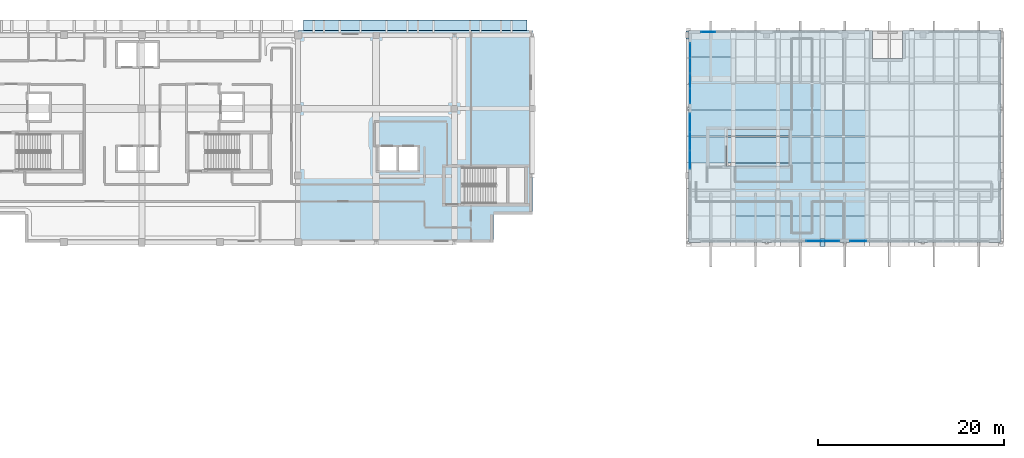
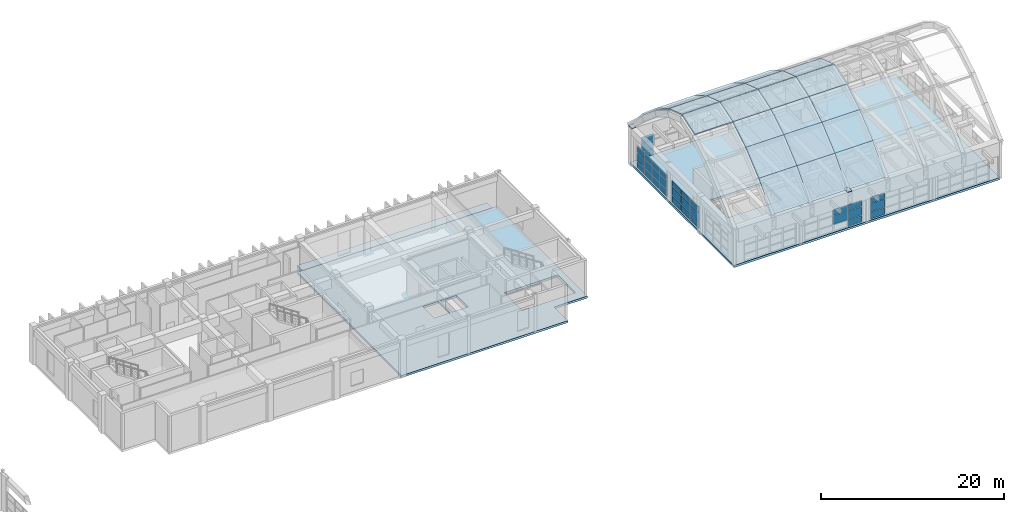
# One storey, part 58 of 78: 34 plates, 25 slabs, 5 elements without a shape of their own.
"""IFC4 building model written with IfcOpenShell, lengths in metres."""

from ifc_helpers import new_model, si_unit, direction, frame, origin, origin_2d, place, context, subcontext, project, spatial, polyline, rectangle, outline, extrude, material, layer, layer_set, type_object, element, aggregate, save


model = new_model("IFC4")

# Units and contexts
model_context = context("Model", 3, precision=1e-05, world=origin(), true_north=direction((0.0, 1.0)))
body_context = subcontext(model_context, "Body", "Model", "MODEL_VIEW")
ifc_project = project(units=[si_unit("LENGTHUNIT", "METRE"), si_unit("AREAUNIT", "SQUARE_METRE"), si_unit("VOLUMEUNIT", "CUBIC_METRE"), si_unit("PLANEANGLEUNIT", "RADIAN"), si_unit("MASSUNIT", "GRAM", prefix="KILO")], contexts=[model_context])

# Site, building, storey
site_placement = place(None, origin())
site = spatial("IfcSite", under=ifc_project, at=site_placement, CompositionType="ELEMENT")
building_placement = place(site_placement, origin())
building = spatial("IfcBuilding", under=site, at=building_placement, Name="Quendrovan Civic Courthouse", CompositionType="ELEMENT")
storey_placement = place(building_placement, frame((0.0, 0.0, 20.39990234375)))
storey = spatial("IfcBuildingStorey", under=building, at=storey_placement, Name="L05", CompositionType="ELEMENT", Elevation=20.39990234375)

# Curtain wall, plates
ifc_material_1 = material(Name="Bronze anodised aluminium and low-E glass", Category="aluminium")
ifc_layer_1 = layer(ifc_material_1, 0.179931640625, Name="Bronze anodised aluminium and low-E glass")
ifc_layer_set_1 = layer_set([ifc_layer_1], Name="Bronze anodised aluminium and low-E glass")
curtain_wall_type_1 = type_object("IfcCurtainWallType", Name="CW-U64x30", PredefinedType="USERDEFINED", material=ifc_layer_set_1)
curtain_wall_1_placement = place(storey_placement, origin())
curtain_wall_1 = element("IfcCurtainWall", 1, at=curtain_wall_1_placement, inside=storey, type_object=curtain_wall_type_1, Name="L05 Unitised Hurricane Curtain Wall CW-192", ObjectType="UNITISED CURTAIN WALL", PredefinedType="USERDEFINED")
ifc_material_2 = material(Name="Laminated hurricane-impact low-E glass", Category="glass")
ifc_layer_2 = layer(ifc_material_2, 0.028076171875, Name="Laminated hurricane-impact low-E glass")
ifc_layer_set_2 = layer_set([ifc_layer_2], Name="Laminated hurricane-impact low-E glass")
plate_type_1 = type_object("IfcPlateType", Name="CW-PNL-1", PredefinedType="CURTAIN_PANEL", material=ifc_layer_set_2)
plate_1_placement = place(storey_placement, frame((111.320556640625, 110.235107421875, 0.0703125), z_axis=(0.0, 0.0, 1.0), x_axis=(1.0, 0.0, 0.0)))
plate_1 = element("IfcPlate", 2, at=plate_1_placement, type_object=plate_type_1, Name="CW-192 panel 1.1", PredefinedType="CURTAIN_PANEL", context=body_context, shape_type="SweptSolid", body=[
    extrude(rectangle(XDim=1.501220703125, YDim=0.028076171875, at=origin_2d()), origin(), (0.0, 0.0, 1.0), 0.844970703125),
])
plate_2_placement = place(storey_placement, frame((111.320556640625, 110.235107421875, 0.985107421875), z_axis=(0.0, 0.0, 1.0), x_axis=(1.0, 0.0, 0.0)))
plate_2 = element("IfcPlate", 3, at=plate_2_placement, type_object=plate_type_1, Name="CW-192 panel 1.2", PredefinedType="CURTAIN_PANEL", context=body_context, shape_type="SweptSolid", body=[
    extrude(rectangle(XDim=1.501220703125, YDim=0.028076171875, at=origin_2d()), origin(), (0.0, 0.0, 1.0), 1.1298828125),
])
plate_3_placement = place(storey_placement, frame((111.320556640625, 110.235107421875, 2.18505859375), z_axis=(0.0, 0.0, 1.0), x_axis=(1.0, 0.0, 0.0)))
plate_3 = element("IfcPlate", 4, at=plate_3_placement, type_object=plate_type_1, Name="CW-192 panel 1.3", PredefinedType="CURTAIN_PANEL", context=body_context, shape_type="SweptSolid", body=[
    extrude(rectangle(XDim=1.501220703125, YDim=0.028076171875, at=origin_2d()), origin(), (0.0, 0.0, 1.0), 0.735107421875),
])
aggregate(curtain_wall_1, [plate_1, plate_2, plate_3])

ifc_layer_3 = layer(ifc_material_1, 0.179931640625, Name="Bronze anodised aluminium and low-E glass")
ifc_layer_set_3 = layer_set([ifc_layer_3], Name="Bronze anodised aluminium and low-E glass")
curtain_wall_type_2 = type_object("IfcCurtainWallType", Name="CW-U74x30", PredefinedType="USERDEFINED", material=ifc_layer_set_3)
curtain_wall_2_placement = place(storey_placement, origin())
curtain_wall_2 = element("IfcCurtainWall", 5, at=curtain_wall_2_placement, inside=storey, type_object=curtain_wall_type_2, Name="L05 Unitised Hurricane Curtain Wall CW-200", ObjectType="UNITISED CURTAIN WALL", PredefinedType="USERDEFINED")
plate_4_placement = place(storey_placement, frame((124.5576171875, 87.764892578125, 0.0703125), z_axis=(0.0, 0.0, 1.0), x_axis=(-1.0, 0.0, 0.0)))
plate_4 = element("IfcPlate", 6, at=plate_4_placement, type_object=plate_type_1, Name="CW-200 panel 1.1", PredefinedType="CURTAIN_PANEL", context=body_context, shape_type="SweptSolid", body=[
    extrude(rectangle(XDim=1.7451171875, YDim=0.028076171875, at=origin_2d()), origin(), (0.0, 0.0, 1.0), 0.844970703125),
])
plate_5_placement = place(storey_placement, frame((124.5576171875, 87.764892578125, 0.985107421875), z_axis=(0.0, 0.0, 1.0), x_axis=(-1.0, 0.0, 0.0)))
plate_5 = element("IfcPlate", 7, at=plate_5_placement, type_object=plate_type_1, Name="CW-200 panel 1.2", PredefinedType="CURTAIN_PANEL", context=body_context, shape_type="SweptSolid", body=[
    extrude(rectangle(XDim=1.7451171875, YDim=0.028076171875, at=origin_2d()), origin(), (0.0, 0.0, 1.0), 1.1298828125),
])
plate_6_placement = place(storey_placement, frame((124.5576171875, 87.764892578125, 2.18505859375), z_axis=(0.0, 0.0, 1.0), x_axis=(-1.0, 0.0, 0.0)))
plate_6 = element("IfcPlate", 8, at=plate_6_placement, type_object=plate_type_1, Name="CW-200 panel 1.3", PredefinedType="CURTAIN_PANEL", context=body_context, shape_type="SweptSolid", body=[
    extrude(rectangle(XDim=1.7451171875, YDim=0.028076171875, at=origin_2d()), origin(), (0.0, 0.0, 1.0), 0.735107421875),
])
plate_7_placement = place(storey_placement, frame((122.72509765625, 87.764892578125, 0.985107421875), z_axis=(0.0, 0.0, 1.0), x_axis=(-1.0, 0.0, 0.0)))
plate_7 = element("IfcPlate", 9, at=plate_7_placement, type_object=plate_type_1, Name="CW-200 panel 2.2", PredefinedType="CURTAIN_PANEL", context=body_context, shape_type="SweptSolid", body=[
    extrude(rectangle(XDim=1.780029296875, YDim=0.028076171875, at=origin_2d()), origin(), (0.0, 0.0, 1.0), 1.1298828125),
])
plate_8_placement = place(storey_placement, frame((122.72509765625, 87.764892578125, 2.18505859375), z_axis=(0.0, 0.0, 1.0), x_axis=(-1.0, 0.0, 0.0)))
plate_8 = element("IfcPlate", 10, at=plate_8_placement, type_object=plate_type_1, Name="CW-200 panel 2.3", PredefinedType="CURTAIN_PANEL", context=body_context, shape_type="SweptSolid", body=[
    extrude(rectangle(XDim=1.780029296875, YDim=0.028076171875, at=origin_2d()), origin(), (0.0, 0.0, 1.0), 0.735107421875),
])
aggregate(curtain_wall_2, [plate_4, plate_5, plate_6, plate_7, plate_8])

ifc_layer_4 = layer(ifc_material_1, 0.179931640625, Name="Bronze anodised aluminium and low-E glass")
ifc_layer_set_4 = layer_set([ifc_layer_4], Name="Bronze anodised aluminium and low-E glass")
curtain_wall_type_3 = type_object("IfcCurtainWallType", Name="CW-U66x30", PredefinedType="USERDEFINED", material=ifc_layer_set_4)
curtain_wall_3_placement = place(storey_placement, origin())
curtain_wall_3 = element("IfcCurtainWall", 11, at=curtain_wall_3_placement, inside=storey, type_object=curtain_wall_type_3, Name="L05 Unitised Hurricane Curtain Wall CW-204", ObjectType="UNITISED CURTAIN WALL", PredefinedType="USERDEFINED")
plate_9_placement = place(storey_placement, frame((109.364990234375, 103.342529296875, 0.0703125), z_axis=(0.0, 0.0, 1.0), x_axis=(0.0, 1.0, 0.0)))
plate_9 = element("IfcPlate", 12, at=plate_9_placement, type_object=plate_type_1, Name="CW-204 panel 1.1", PredefinedType="CURTAIN_PANEL", context=body_context, shape_type="SweptSolid", body=[
    extrude(rectangle(XDim=1.544921875, YDim=0.028076171875, at=origin_2d()), origin(), (0.0, 0.0, 1.0), 0.844970703125),
])
plate_10_placement = place(storey_placement, frame((109.364990234375, 103.342529296875, 0.985107421875), z_axis=(0.0, 0.0, 1.0), x_axis=(0.0, 1.0, 0.0)))
plate_10 = element("IfcPlate", 13, at=plate_10_placement, type_object=plate_type_1, Name="CW-204 panel 1.2", PredefinedType="CURTAIN_PANEL", context=body_context, shape_type="SweptSolid", body=[
    extrude(rectangle(XDim=1.544921875, YDim=0.028076171875, at=origin_2d()), origin(), (0.0, 0.0, 1.0), 1.1298828125),
])
plate_11_placement = place(storey_placement, frame((109.364990234375, 103.342529296875, 2.18505859375), z_axis=(0.0, 0.0, 1.0), x_axis=(0.0, 1.0, 0.0)))
plate_11 = element("IfcPlate", 14, at=plate_11_placement, type_object=plate_type_1, Name="CW-204 panel 1.3", PredefinedType="CURTAIN_PANEL", context=body_context, shape_type="SweptSolid", body=[
    extrude(rectangle(XDim=1.544921875, YDim=0.028076171875, at=origin_2d()), origin(), (0.0, 0.0, 1.0), 0.735107421875),
])
plate_12_placement = place(storey_placement, frame((109.364990234375, 104.97509765625, 0.0703125), z_axis=(0.0, 0.0, 1.0), x_axis=(0.0, 1.0, 0.0)))
plate_12 = element("IfcPlate", 15, at=plate_12_placement, type_object=plate_type_1, Name="CW-204 panel 2.1", PredefinedType="CURTAIN_PANEL", context=body_context, shape_type="SweptSolid", body=[
    extrude(rectangle(XDim=1.580078125, YDim=0.028076171875, at=origin_2d()), origin(), (0.0, 0.0, 1.0), 0.844970703125),
])
plate_13_placement = place(storey_placement, frame((109.364990234375, 104.97509765625, 0.985107421875), z_axis=(0.0, 0.0, 1.0), x_axis=(0.0, 1.0, 0.0)))
plate_13 = element("IfcPlate", 16, at=plate_13_placement, type_object=plate_type_1, Name="CW-204 panel 2.2", PredefinedType="CURTAIN_PANEL", context=body_context, shape_type="SweptSolid", body=[
    extrude(rectangle(XDim=1.580078125, YDim=0.028076171875, at=origin_2d()), origin(), (0.0, 0.0, 1.0), 1.1298828125),
])
plate_14_placement = place(storey_placement, frame((109.364990234375, 104.97509765625, 2.18505859375), z_axis=(0.0, 0.0, 1.0), x_axis=(0.0, 1.0, 0.0)))
plate_14 = element("IfcPlate", 17, at=plate_14_placement, type_object=plate_type_1, Name="CW-204 panel 2.3", PredefinedType="CURTAIN_PANEL", context=body_context, shape_type="SweptSolid", body=[
    extrude(rectangle(XDim=1.580078125, YDim=0.028076171875, at=origin_2d()), origin(), (0.0, 0.0, 1.0), 0.735107421875),
])
plate_15_placement = place(storey_placement, frame((109.364990234375, 106.625, 0.0703125), z_axis=(0.0, 0.0, 1.0), x_axis=(0.0, 1.0, 0.0)))
plate_15 = element("IfcPlate", 18, at=plate_15_placement, type_object=plate_type_1, Name="CW-204 panel 3.1", PredefinedType="CURTAIN_PANEL", context=body_context, shape_type="SweptSolid", body=[
    extrude(rectangle(XDim=1.580078125, YDim=0.028076171875, at=origin_2d()), origin(), (0.0, 0.0, 1.0), 0.844970703125),
])
plate_16_placement = place(storey_placement, frame((109.364990234375, 106.625, 0.985107421875), z_axis=(0.0, 0.0, 1.0), x_axis=(0.0, 1.0, 0.0)))
plate_16 = element("IfcPlate", 19, at=plate_16_placement, type_object=plate_type_1, Name="CW-204 panel 3.2", PredefinedType="CURTAIN_PANEL", context=body_context, shape_type="SweptSolid", body=[
    extrude(rectangle(XDim=1.580078125, YDim=0.028076171875, at=origin_2d()), origin(), (0.0, 0.0, 1.0), 1.1298828125),
])
plate_17_placement = place(storey_placement, frame((109.364990234375, 106.625, 2.18505859375), z_axis=(0.0, 0.0, 1.0), x_axis=(0.0, 1.0, 0.0)))
plate_17 = element("IfcPlate", 20, at=plate_17_placement, type_object=plate_type_1, Name="CW-204 panel 3.3", PredefinedType="CURTAIN_PANEL", context=body_context, shape_type="SweptSolid", body=[
    extrude(rectangle(XDim=1.580078125, YDim=0.028076171875, at=origin_2d()), origin(), (0.0, 0.0, 1.0), 0.735107421875),
])
plate_18_placement = place(storey_placement, frame((109.364990234375, 108.257568359375, 0.0703125), z_axis=(0.0, 0.0, 1.0), x_axis=(0.0, 1.0, 0.0)))
plate_18 = element("IfcPlate", 21, at=plate_18_placement, type_object=plate_type_1, Name="CW-204 panel 4.1", PredefinedType="CURTAIN_PANEL", context=body_context, shape_type="SweptSolid", body=[
    extrude(rectangle(XDim=1.544921875, YDim=0.028076171875, at=origin_2d()), origin(), (0.0, 0.0, 1.0), 0.844970703125),
])
plate_19_placement = place(storey_placement, frame((109.364990234375, 108.257568359375, 0.985107421875), z_axis=(0.0, 0.0, 1.0), x_axis=(0.0, 1.0, 0.0)))
plate_19 = element("IfcPlate", 22, at=plate_19_placement, type_object=plate_type_1, Name="CW-204 panel 4.2", PredefinedType="CURTAIN_PANEL", context=body_context, shape_type="SweptSolid", body=[
    extrude(rectangle(XDim=1.544921875, YDim=0.028076171875, at=origin_2d()), origin(), (0.0, 0.0, 1.0), 1.1298828125),
])
plate_20_placement = place(storey_placement, frame((109.364990234375, 108.257568359375, 2.18505859375), z_axis=(0.0, 0.0, 1.0), x_axis=(0.0, 1.0, 0.0)))
plate_20 = element("IfcPlate", 23, at=plate_20_placement, type_object=plate_type_1, Name="CW-204 panel 4.3", PredefinedType="CURTAIN_PANEL", context=body_context, shape_type="SweptSolid", body=[
    extrude(rectangle(XDim=1.544921875, YDim=0.028076171875, at=origin_2d()), origin(), (0.0, 0.0, 1.0), 0.735107421875),
])
aggregate(curtain_wall_3, [plate_9, plate_10, plate_11, plate_12, plate_13, plate_14, plate_15, plate_16, plate_17, plate_18, plate_19, plate_20])

curtain_wall_4_placement = place(storey_placement, origin())
curtain_wall_4 = element("IfcCurtainWall", 24, at=curtain_wall_4_placement, inside=storey, type_object=curtain_wall_type_2, Name="L05 Unitised Hurricane Curtain Wall CW-199", ObjectType="UNITISED CURTAIN WALL", PredefinedType="USERDEFINED")
ifc_layer_5 = layer(ifc_material_2, 0.0419921875, Name="Laminated hurricane-impact low-E glass")
ifc_layer_set_5 = layer_set([ifc_layer_5], Name="Laminated hurricane-impact low-E glass")
plate_type_2 = type_object("IfcPlateType", Name="CW-PNL-4", PredefinedType="CURTAIN_PANEL", material=ifc_layer_set_5)
plate_21_placement = place(storey_placement, frame((127.441162109375, 87.764892578125, 0.065185546875), z_axis=(0.0, 0.0, 1.0), x_axis=(-1.0, 0.0, 0.0)))
plate_21 = element("IfcPlate", 25, at=plate_21_placement, type_object=plate_type_2, Name="CW-199 panel 4.1", PredefinedType="CURTAIN_PANEL", context=body_context, shape_type="SweptSolid", body=[
    extrude(rectangle(XDim=1.75244140625, YDim=0.0419921875, at=origin_2d()), origin(), (0.0, 0.0, 1.0), 0.8525390625),
])
plate_22_placement = place(storey_placement, frame((127.441162109375, 87.764892578125, 0.982421875), z_axis=(0.0, 0.0, 1.0), x_axis=(-1.0, 0.0, 0.0)))
plate_22 = element("IfcPlate", 26, at=plate_22_placement, type_object=plate_type_2, Name="CW-199 panel 4.2", PredefinedType="CURTAIN_PANEL", context=body_context, shape_type="SweptSolid", body=[
    extrude(rectangle(XDim=1.75244140625, YDim=0.0419921875, at=origin_2d()), origin(), (0.0, 0.0, 1.0), 1.135009765625),
])
plate_23_placement = place(storey_placement, frame((127.441162109375, 87.764892578125, 2.1826171875), z_axis=(0.0, 0.0, 1.0), x_axis=(-1.0, 0.0, 0.0)))
plate_23 = element("IfcPlate", 27, at=plate_23_placement, type_object=plate_type_2, Name="CW-199 panel 4.3", PredefinedType="CURTAIN_PANEL", context=body_context, shape_type="SweptSolid", body=[
    extrude(rectangle(XDim=1.75244140625, YDim=0.0419921875, at=origin_2d()), origin(), (0.0, 0.0, 1.0), 0.742431640625),
])
aggregate(curtain_wall_4, [plate_21, plate_22, plate_23])

ifc_layer_6 = layer(ifc_material_1, 0.179931640625, Name="Bronze anodised aluminium and low-E glass")
ifc_layer_set_6 = layer_set([ifc_layer_6], Name="Bronze anodised aluminium and low-E glass")
curtain_wall_type_4 = type_object("IfcCurtainWallType", Name="CW-U60x30", PredefinedType="USERDEFINED", material=ifc_layer_set_6)
curtain_wall_5_placement = place(storey_placement, origin())
curtain_wall_5 = element("IfcCurtainWall", 28, at=curtain_wall_5_placement, inside=storey, type_object=curtain_wall_type_4, Name="L05 Unitised Hurricane Curtain Wall CW-203", ObjectType="UNITISED CURTAIN WALL", PredefinedType="USERDEFINED")
plate_24_placement = place(storey_placement, frame((109.364990234375, 96.495361328125, 0.065185546875), z_axis=(0.0, 0.0, 1.0), x_axis=(0.0, 1.0, 0.0)))
plate_24 = element("IfcPlate", 29, at=plate_24_placement, type_object=plate_type_2, Name="CW-203 panel 1.1", PredefinedType="CURTAIN_PANEL", context=body_context, shape_type="SweptSolid", body=[
    extrude(rectangle(XDim=1.910888671875, YDim=0.0419921875, at=origin_2d()), origin(), (0.0, 0.0, 1.0), 0.8525390625),
])
plate_25_placement = place(storey_placement, frame((109.364990234375, 96.495361328125, 0.982421875), z_axis=(0.0, 0.0, 1.0), x_axis=(0.0, 1.0, 0.0)))
plate_25 = element("IfcPlate", 30, at=plate_25_placement, type_object=plate_type_2, Name="CW-203 panel 1.2", PredefinedType="CURTAIN_PANEL", context=body_context, shape_type="SweptSolid", body=[
    extrude(rectangle(XDim=1.910888671875, YDim=0.0419921875, at=origin_2d()), origin(), (0.0, 0.0, 1.0), 1.135009765625),
])
plate_26_placement = place(storey_placement, frame((109.364990234375, 96.495361328125, 2.1826171875), z_axis=(0.0, 0.0, 1.0), x_axis=(0.0, 1.0, 0.0)))
plate_26 = element("IfcPlate", 31, at=plate_26_placement, type_object=plate_type_2, Name="CW-203 panel 1.3", PredefinedType="CURTAIN_PANEL", context=body_context, shape_type="SweptSolid", body=[
    extrude(rectangle(XDim=1.910888671875, YDim=0.0419921875, at=origin_2d()), origin(), (0.0, 0.0, 1.0), 0.742431640625),
])
plate_27_placement = place(storey_placement, frame((109.364990234375, 98.487548828125, 0.065185546875), z_axis=(0.0, 0.0, 1.0), x_axis=(0.0, 1.0, 0.0)))
plate_27 = element("IfcPlate", 32, at=plate_27_placement, type_object=plate_type_2, Name="CW-203 panel 2.1", PredefinedType="CURTAIN_PANEL", context=body_context, shape_type="SweptSolid", body=[
    extrude(rectangle(XDim=1.943359375, YDim=0.0419921875, at=origin_2d()), origin(), (0.0, 0.0, 1.0), 0.8525390625),
])
plate_28_placement = place(storey_placement, frame((109.364990234375, 98.487548828125, 0.982421875), z_axis=(0.0, 0.0, 1.0), x_axis=(0.0, 1.0, 0.0)))
plate_28 = element("IfcPlate", 33, at=plate_28_placement, type_object=plate_type_2, Name="CW-203 panel 2.2", PredefinedType="CURTAIN_PANEL", context=body_context, shape_type="SweptSolid", body=[
    extrude(rectangle(XDim=1.943359375, YDim=0.0419921875, at=origin_2d()), origin(), (0.0, 0.0, 1.0), 1.135009765625),
])
plate_29_placement = place(storey_placement, frame((109.364990234375, 98.487548828125, 2.1826171875), z_axis=(0.0, 0.0, 1.0), x_axis=(0.0, 1.0, 0.0)))
plate_29 = element("IfcPlate", 34, at=plate_29_placement, type_object=plate_type_2, Name="CW-203 panel 2.3", PredefinedType="CURTAIN_PANEL", context=body_context, shape_type="SweptSolid", body=[
    extrude(rectangle(XDim=1.943359375, YDim=0.0419921875, at=origin_2d()), origin(), (0.0, 0.0, 1.0), 0.742431640625),
])
plate_30_placement = place(storey_placement, frame((109.364990234375, 100.4794921875, 0.065185546875), z_axis=(0.0, 0.0, 1.0), x_axis=(0.0, 1.0, 0.0)))
plate_30 = element("IfcPlate", 35, at=plate_30_placement, type_object=plate_type_2, Name="CW-203 panel 3.1", PredefinedType="CURTAIN_PANEL", context=body_context, shape_type="SweptSolid", body=[
    extrude(rectangle(XDim=1.910888671875, YDim=0.0419921875, at=origin_2d()), origin(), (0.0, 0.0, 1.0), 0.8525390625),
])
plate_31_placement = place(storey_placement, frame((109.364990234375, 100.4794921875, 0.982421875), z_axis=(0.0, 0.0, 1.0), x_axis=(0.0, 1.0, 0.0)))
plate_31 = element("IfcPlate", 36, at=plate_31_placement, type_object=plate_type_2, Name="CW-203 panel 3.2", PredefinedType="CURTAIN_PANEL", context=body_context, shape_type="SweptSolid", body=[
    extrude(rectangle(XDim=1.910888671875, YDim=0.0419921875, at=origin_2d()), origin(), (0.0, 0.0, 1.0), 1.135009765625),
])
plate_32_placement = place(storey_placement, frame((109.364990234375, 100.4794921875, 2.1826171875), z_axis=(0.0, 0.0, 1.0), x_axis=(0.0, 1.0, 0.0)))
plate_32 = element("IfcPlate", 37, at=plate_32_placement, type_object=plate_type_2, Name="CW-203 panel 3.3", PredefinedType="CURTAIN_PANEL", context=body_context, shape_type="SweptSolid", body=[
    extrude(rectangle(XDim=1.910888671875, YDim=0.0419921875, at=origin_2d()), origin(), (0.0, 0.0, 1.0), 0.742431640625),
])
aggregate(curtain_wall_5, [plate_24, plate_25, plate_26, plate_27, plate_28, plate_29, plate_30, plate_31, plate_32])

# Plates
ifc_material_3 = material(Name="Steel ASTM A572 Grade 50", Category="steel")
ifc_layer_7 = layer(ifc_material_3, 0.0400390625, Name="Steel ASTM A572 Grade 50")
ifc_layer_set_7 = layer_set([ifc_layer_7], Name="Steel ASTM A572 Grade 50")
plate_type_3 = type_object("IfcPlateType", Name="PLT-BASE-40", PredefinedType="USERDEFINED", material=ifc_layer_set_7)
for number, where, z_axis, x_axis, name in (
    (38, (109.199951171875, 109.89990234375, 5.06005859375), (0.0, 0.0, 1.0), (1.0, 0.0, 0.0), "BV1 Vault Springing Bearing Plate A1-N"),
    (39, (123.60009765625, 87.60009765625, 5.06005859375), (0.0, 0.0, 1.0), (1.0, 0.0, 0.0), "BV1 Vault Springing Bearing Plate A4-S"),
):
    element("IfcPlate", number, at=place(storey_placement, frame(where, z_axis=z_axis, x_axis=x_axis)), inside=storey, type_object=plate_type_3, Name=name, ObjectType="BASE PLATE", PredefinedType="USERDEFINED", context=body_context, shape_type="SweptSolid", body=[
        extrude(rectangle(XDim=0.550048828125, YDim=0.85009765625, at=origin_2d()), origin(), (0.0, 0.0, 1.0), 0.0400390625),
    ])

# Slabs
ifc_material_4 = material(Name="Precast limestone concrete C45/55", Category="masonry")
ifc_layer_8 = layer(ifc_material_4, 0.419921875, Name="Precast limestone concrete C45/55")
ifc_layer_set_8 = layer_set([ifc_layer_8], Name="Precast limestone concrete C45/55")
slab_type_1 = type_object("IfcSlabType", Name="SLB-LEDGE-420", PredefinedType="FLOOR", material=ifc_layer_set_8)
slab_1_placement = place(storey_placement, frame((0.0, 0.0, -0.419921875)))
element("IfcSlab", 40, at=slab_1_placement, inside=storey, type_object=slab_type_1, Name="L05 Precast Architectural Spandrel Fin Shelf 448-0", PredefinedType="FLOOR", context=body_context, shape_type="SweptSolid", body=[
    extrude(outline(polyline([(67.800048828125, 111.528076171875), (91.800048828125, 111.528076171875), (91.800048828125, 110.3779296875), (67.800048828125, 110.3779296875), (67.800048828125, 111.528076171875)])), origin(), (0.0, 0.0, 1.0), 0.419921875),
])
ifc_material_5 = material(Name="Post-tensioned concrete C50/60", Category="concrete")
ifc_layer_9 = layer(ifc_material_5, 0.280029296875, Name="Post-tensioned concrete C50/60")
ifc_layer_set_9 = layer_set([ifc_layer_9], Name="Post-tensioned concrete C50/60")
slab_type_2 = type_object("IfcSlabType", Name="SLB-PT-280", PredefinedType="FLOOR", material=ifc_layer_set_9)
slab_2_placement = place(storey_placement, frame((0.0, 0.0, -0.27978515625)))
element("IfcSlab", 41, at=slab_2_placement, inside=storey, type_object=slab_type_2, Name="L05 Structural Floor Slab V2E", PredefinedType="FLOOR", context=body_context, shape_type="SweptSolid", body=[
    extrude(outline(polyline([(67.199951171875, 110.39990234375), (92.39990234375, 110.39990234375), (92.39990234375, 90.60009765625), (88.199951171875, 90.60009765625), (88.199951171875, 87.60009765625), (67.199951171875, 87.60009765625), (67.199951171875, 110.39990234375)]), holes=[polyline([(84.85009765625, 91.800048828125), (91.60009765625, 91.800048828125), (91.60009765625, 95.679931640625), (84.85009765625, 95.679931640625), (84.85009765625, 91.800048828125)]), polyline([(75.800048828125, 97.85009765625), (75.800048828125, 95.35009765625), (77.800048828125, 95.35009765625), (77.800048828125, 97.85009765625), (75.800048828125, 97.85009765625)]), polyline([(78.050048828125, 97.85009765625), (78.050048828125, 95.35009765625), (80.050048828125, 95.35009765625), (80.050048828125, 97.85009765625), (78.050048828125, 97.85009765625)])]), origin(), (0.0, 0.0, 1.0), 0.27978515625),
])
slab_3_placement = place(storey_placement, frame((0.0, 0.0, -0.27978515625)))
element("IfcSlab", 42, at=slab_3_placement, inside=storey, type_object=slab_type_2, Name="L05 Structural Floor Slab V1E", PredefinedType="FLOOR", context=body_context, shape_type="SweptSolid", body=[
    extrude(outline(polyline([(142.800048828125, 87.60009765625), (109.199951171875, 87.60009765625), (109.199951171875, 110.39990234375), (129.0, 110.39990234375), (129.0, 107.39990234375), (132.199951171875, 107.39990234375), (132.199951171875, 110.39990234375), (142.800048828125, 110.39990234375), (142.800048828125, 87.60009765625)]), holes=[polyline([(120.0, 95.85009765625), (120.0, 99.72998046875), (113.25, 99.72998046875), (113.25, 95.85009765625), (120.0, 95.85009765625)])]), origin(), (0.0, 0.0, 1.0), 0.27978515625),
])
ifc_material_6 = material(Name="Concrete C40/50", Category="concrete")
ifc_layer_10 = layer(ifc_material_6, 0.199951171875, Name="Concrete C40/50")
ifc_layer_set_10 = layer_set([ifc_layer_10], Name="Concrete C40/50")
slab_type_3 = type_object("IfcSlabType", Name="SLB-VAULT-200", PredefinedType="ROOF", material=ifc_layer_set_10)
for number, where, z_axis, x_axis, name in (
    (43, (109.199951171875, 96.14990234375, 12.357177734375), (0.0, -0.315437622142, 0.948946313833), (1.0, 0.0, 0.0), "BV1 Concrete Barrel Vault Shell Panel B1-C4"),
    (44, (109.199951171875, 99.034912109375, 13.29296875), (0.0, 0.315437622142, 0.948946313833), (1.0, 0.0, 0.0), "BV1 Concrete Barrel Vault Shell Panel B1-C5"),
):
    element("IfcSlab", number, at=place(storey_placement, frame(where, z_axis=z_axis, x_axis=x_axis)), inside=storey, type_object=slab_type_3, Name=name, PredefinedType="ROOF", context=body_context, shape_type="SweptSolid", body=[
        extrude(outline(polyline([(0.0, 0.0), (4.800048828125, 0.0), (4.800048828125, 2.9666436402538077), (0.0, 2.9666436402538077), (0.0, 0.0)])), origin(), (0.0, 0.0, -1.0), 0.199951171875),
    ])
slab_4_placement = place(storey_placement, frame((109.199951171875, 101.85009765625, 12.357177734375), z_axis=(0.0, 0.508090296154, 0.861303808743), x_axis=(1.0, 0.0, 0.0)))
element("IfcSlab", 45, at=slab_4_placement, inside=storey, type_object=slab_type_3, Name="BV1 Concrete Barrel Vault Shell Panel B1-C6", PredefinedType="ROOF", context=body_context, shape_type="SweptSolid", body=[
    extrude(outline(polyline([(0.0, 0.0), (4.800048828125, 0.0), (4.800048828125, 3.30876687958162), (0.0, 3.30876687958162), (0.0, 0.0)])), origin(), (0.0, 0.0, -1.0), 0.199951171875),
])
slab_5_placement = place(storey_placement, frame((109.199951171875, 104.699951171875, 10.676025390625), z_axis=(0.0, 0.647083303495, 0.762419306116), x_axis=(1.0, 0.0, 0.0)))
element("IfcSlab", 46, at=slab_5_placement, inside=storey, type_object=slab_type_3, Name="BV1 Concrete Barrel Vault Shell Panel B1-C7", PredefinedType="ROOF", context=body_context, shape_type="SweptSolid", body=[
    extrude(outline(polyline([(0.0, 0.0), (4.800048828125, 0.0), (4.800048828125, 3.7382286012264507), (0.0, 3.7382286012264507), (0.0, 0.0)])), origin(), (0.0, 0.0, -1.0), 0.199951171875),
])
for number, where, z_axis, x_axis, name in (
    (47, (109.199951171875, 107.550048828125, 8.257080078125), (0.0, 0.742291438004, 0.670077175456), (1.0, 0.0, 0.0), "BV1 Concrete Barrel Vault Shell Panel B1-C8"),
    (48, (114.0, 87.60009765625, 5.10009765625), (0.0, -0.742291438004, 0.670077175456), (1.0, 0.0, 0.0), "BV1 Concrete Barrel Vault Shell Panel B2-C1"),
):
    element("IfcSlab", number, at=place(storey_placement, frame(where, z_axis=z_axis, x_axis=x_axis)), inside=storey, type_object=slab_type_3, Name=name, PredefinedType="ROOF", context=body_context, shape_type="SweptSolid", body=[
        extrude(outline(polyline([(0.0, 0.0), (4.800048828125, 0.0), (4.800048828125, 4.253022815897878), (0.0, 4.253022815897878), (0.0, 0.0)])), origin(), (0.0, 0.0, -1.0), 0.199951171875),
    ])
slab_6_placement = place(storey_placement, frame((114.0, 90.449951171875, 8.257080078125), z_axis=(0.0, -0.647083303495, 0.762419306116), x_axis=(1.0, 0.0, 0.0)))
element("IfcSlab", 49, at=slab_6_placement, inside=storey, type_object=slab_type_3, Name="BV1 Concrete Barrel Vault Shell Panel B2-C2", PredefinedType="ROOF", context=body_context, shape_type="SweptSolid", body=[
    extrude(outline(polyline([(0.0, 0.0), (4.800048828125, 0.0), (4.800048828125, 3.7382286012264507), (0.0, 3.7382286012264507), (0.0, 0.0)])), origin(), (0.0, 0.0, -1.0), 0.199951171875),
])
slab_7_placement = place(storey_placement, frame((114.0, 93.300048828125, 10.676025390625), z_axis=(0.0, -0.508090296154, 0.861303808743), x_axis=(1.0, 0.0, 0.0)))
element("IfcSlab", 50, at=slab_7_placement, inside=storey, type_object=slab_type_3, Name="BV1 Concrete Barrel Vault Shell Panel B2-C3", PredefinedType="ROOF", context=body_context, shape_type="SweptSolid", body=[
    extrude(outline(polyline([(0.0, 0.0), (4.800048828125, 0.0), (4.800048828125, 3.30876687958162), (0.0, 3.30876687958162), (0.0, 0.0)])), origin(), (0.0, 0.0, -1.0), 0.199951171875),
])
for number, where, z_axis, x_axis, name in (
    (51, (114.0, 96.14990234375, 12.357177734375), (0.0, -0.315437622142, 0.948946313833), (1.0, 0.0, 0.0), "BV1 Concrete Barrel Vault Shell Panel B2-C4"),
    (52, (114.0, 99.034912109375, 13.29296875), (0.0, 0.315437622142, 0.948946313833), (1.0, 0.0, 0.0), "BV1 Concrete Barrel Vault Shell Panel B2-C5"),
):
    element("IfcSlab", number, at=place(storey_placement, frame(where, z_axis=z_axis, x_axis=x_axis)), inside=storey, type_object=slab_type_3, Name=name, PredefinedType="ROOF", context=body_context, shape_type="SweptSolid", body=[
        extrude(outline(polyline([(0.0, 0.0), (4.800048828125, 0.0), (4.800048828125, 2.9666436402538077), (0.0, 2.9666436402538077), (0.0, 0.0)])), origin(), (0.0, 0.0, -1.0), 0.199951171875),
    ])
slab_8_placement = place(storey_placement, frame((114.0, 101.85009765625, 12.357177734375), z_axis=(0.0, 0.508090296154, 0.861303808743), x_axis=(1.0, 0.0, 0.0)))
element("IfcSlab", 53, at=slab_8_placement, inside=storey, type_object=slab_type_3, Name="BV1 Concrete Barrel Vault Shell Panel B2-C6", PredefinedType="ROOF", context=body_context, shape_type="SweptSolid", body=[
    extrude(outline(polyline([(0.0, 0.0), (4.800048828125, 0.0), (4.800048828125, 3.30876687958162), (0.0, 3.30876687958162), (0.0, 0.0)])), origin(), (0.0, 0.0, -1.0), 0.199951171875),
])
slab_9_placement = place(storey_placement, frame((118.800048828125, 87.60009765625, 5.10009765625), z_axis=(0.0, -0.742291438004, 0.670077175456), x_axis=(1.0, 0.0, 0.0)))
element("IfcSlab", 54, at=slab_9_placement, inside=storey, type_object=slab_type_3, Name="BV1 Concrete Barrel Vault Shell Panel B3-C1", PredefinedType="ROOF", context=body_context, shape_type="SweptSolid", body=[
    extrude(outline(polyline([(0.0, 0.0), (4.800048828125, 0.0), (4.800048828125, 4.253022815897878), (0.0, 4.253022815897878), (0.0, 0.0)])), origin(), (0.0, 0.0, -1.0), 0.199951171875),
])
slab_10_placement = place(storey_placement, frame((118.800048828125, 90.449951171875, 8.257080078125), z_axis=(0.0, -0.647083303495, 0.762419306116), x_axis=(1.0, 0.0, 0.0)))
element("IfcSlab", 55, at=slab_10_placement, inside=storey, type_object=slab_type_3, Name="BV1 Concrete Barrel Vault Shell Panel B3-C2", PredefinedType="ROOF", context=body_context, shape_type="SweptSolid", body=[
    extrude(outline(polyline([(0.0, 0.0), (4.800048828125, 0.0), (4.800048828125, 3.7382286012264507), (0.0, 3.7382286012264507), (0.0, 0.0)])), origin(), (0.0, 0.0, -1.0), 0.199951171875),
])
slab_11_placement = place(storey_placement, frame((118.800048828125, 93.300048828125, 10.676025390625), z_axis=(0.0, -0.508090296154, 0.861303808743), x_axis=(1.0, 0.0, 0.0)))
element("IfcSlab", 56, at=slab_11_placement, inside=storey, type_object=slab_type_3, Name="BV1 Concrete Barrel Vault Shell Panel B3-C3", PredefinedType="ROOF", context=body_context, shape_type="SweptSolid", body=[
    extrude(outline(polyline([(0.0, 0.0), (4.800048828125, 0.0), (4.800048828125, 3.30876687958162), (0.0, 3.30876687958162), (0.0, 0.0)])), origin(), (0.0, 0.0, -1.0), 0.199951171875),
])
for number, where, z_axis, x_axis, name in (
    (57, (118.800048828125, 96.14990234375, 12.357177734375), (0.0, -0.315437622142, 0.948946313833), (1.0, 0.0, 0.0), "BV1 Concrete Barrel Vault Shell Panel B3-C4"),
    (58, (118.800048828125, 99.034912109375, 13.29296875), (0.0, 0.315437622142, 0.948946313833), (1.0, 0.0, 0.0), "BV1 Concrete Barrel Vault Shell Panel B3-C5"),
):
    element("IfcSlab", number, at=place(storey_placement, frame(where, z_axis=z_axis, x_axis=x_axis)), inside=storey, type_object=slab_type_3, Name=name, PredefinedType="ROOF", context=body_context, shape_type="SweptSolid", body=[
        extrude(outline(polyline([(0.0, 0.0), (4.800048828125, 0.0), (4.800048828125, 2.9666436402538077), (0.0, 2.9666436402538077), (0.0, 0.0)])), origin(), (0.0, 0.0, -1.0), 0.199951171875),
    ])
slab_12_placement = place(storey_placement, frame((118.800048828125, 101.85009765625, 12.357177734375), z_axis=(0.0, 0.508090296154, 0.861303808743), x_axis=(1.0, 0.0, 0.0)))
element("IfcSlab", 59, at=slab_12_placement, inside=storey, type_object=slab_type_3, Name="BV1 Concrete Barrel Vault Shell Panel B3-C6", PredefinedType="ROOF", context=body_context, shape_type="SweptSolid", body=[
    extrude(outline(polyline([(0.0, 0.0), (4.800048828125, 0.0), (4.800048828125, 3.30876687958162), (0.0, 3.30876687958162), (0.0, 0.0)])), origin(), (0.0, 0.0, -1.0), 0.199951171875),
])
slab_13_placement = place(storey_placement, frame((123.60009765625, 87.60009765625, 5.10009765625), z_axis=(0.0, -0.742291438004, 0.670077175456), x_axis=(1.0, 0.0, 0.0)))
element("IfcSlab", 60, at=slab_13_placement, inside=storey, type_object=slab_type_3, Name="BV1 Concrete Barrel Vault Shell Panel B4-C1", PredefinedType="ROOF", context=body_context, shape_type="SweptSolid", body=[
    extrude(outline(polyline([(0.0, 0.0), (4.7998046875, 0.0), (4.7998046875, 4.253022815897878), (0.0, 4.253022815897878), (0.0, 0.0)])), origin(), (0.0, 0.0, -1.0), 0.199951171875),
])
slab_14_placement = place(storey_placement, frame((123.60009765625, 90.449951171875, 8.257080078125), z_axis=(0.0, -0.647083303495, 0.762419306116), x_axis=(1.0, 0.0, 0.0)))
element("IfcSlab", 61, at=slab_14_placement, inside=storey, type_object=slab_type_3, Name="BV1 Concrete Barrel Vault Shell Panel B4-C2", PredefinedType="ROOF", context=body_context, shape_type="SweptSolid", body=[
    extrude(outline(polyline([(0.0, 0.0), (4.7998046875, 0.0), (4.7998046875, 3.738228601226451), (0.0, 3.738228601226451), (0.0, 0.0)])), origin(), (0.0, 0.0, -1.0), 0.199951171875),
])
slab_15_placement = place(storey_placement, frame((123.60009765625, 93.300048828125, 10.676025390625), z_axis=(0.0, -0.508090296154, 0.861303808743), x_axis=(1.0, 0.0, 0.0)))
element("IfcSlab", 62, at=slab_15_placement, inside=storey, type_object=slab_type_3, Name="BV1 Concrete Barrel Vault Shell Panel B4-C3", PredefinedType="ROOF", context=body_context, shape_type="SweptSolid", body=[
    extrude(outline(polyline([(0.0, 0.0), (4.7998046875, 0.0), (4.7998046875, 3.3087668795816203), (0.0, 3.3087668795816203), (0.0, 0.0)])), origin(), (0.0, 0.0, -1.0), 0.199951171875),
])
for number, where, z_axis, x_axis, name in (
    (63, (123.60009765625, 96.14990234375, 12.357177734375), (0.0, -0.315437622142, 0.948946313833), (1.0, 0.0, 0.0), "BV1 Concrete Barrel Vault Shell Panel B4-C4"),
    (64, (123.60009765625, 99.034912109375, 13.29296875), (0.0, 0.315437622142, 0.948946313833), (1.0, 0.0, 0.0), "BV1 Concrete Barrel Vault Shell Panel B4-C5"),
):
    element("IfcSlab", number, at=place(storey_placement, frame(where, z_axis=z_axis, x_axis=x_axis)), inside=storey, type_object=slab_type_3, Name=name, PredefinedType="ROOF", context=body_context, shape_type="SweptSolid", body=[
        extrude(outline(polyline([(0.0, 0.0), (4.7998046875, 0.0), (4.7998046875, 2.9666436402538072), (0.0, 2.9666436402538072), (0.0, 0.0)])), origin(), (0.0, 0.0, -1.0), 0.199951171875),
    ])

save(model, "model.ifc")
